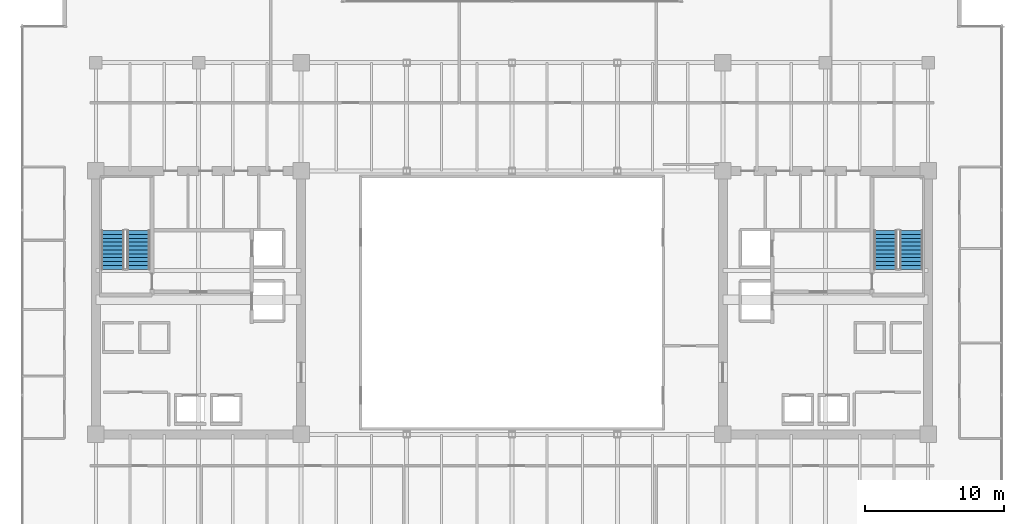
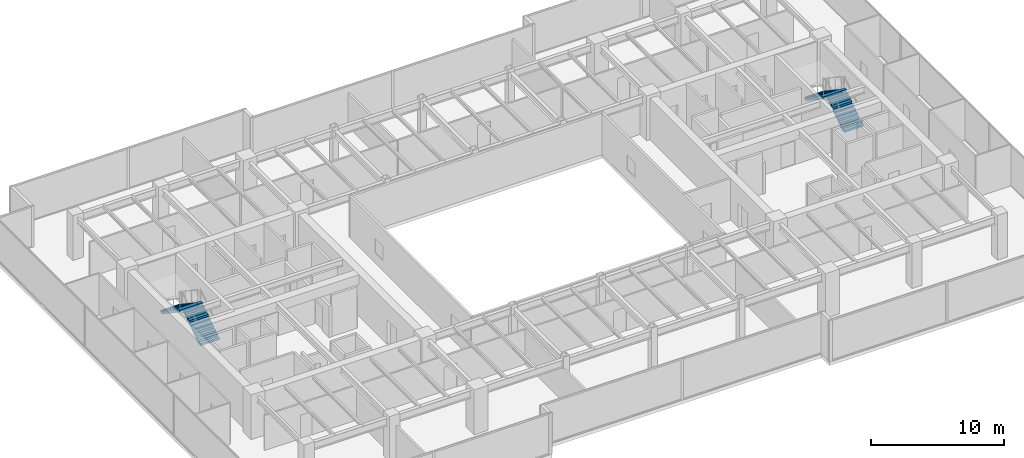
# One storey, part 29 of 31: 4 stair flights, 2 elements without a shape of their own.
"""IFC4 building model written with IfcOpenShell, lengths in metres."""

import ifcopenshell
import ifcopenshell.guid

model = None  # the IFC model being written
_history = None  # IfcOwnerHistory: only IFC2X3 demands one
_inside = {}  # id of a spatial element -> (the spatial element, [elements in it])
_under = {}  # id of a project, library or spatial element -> (it, [spatial elements below it])
_declared = {}  # id of a project -> (the project, [libraries it declares])
_typed = {}  # id of a type object -> (the type object, [elements of that type])
_made_of = {}  # id of a material, layer set ... -> (it, [elements and type objects made of it])


def new_model(schema):
    """Start an empty IFC model of exactly this schema.

    Asked for "IFC4X3", IfcOpenShell would pick the latest addendum, in which some entities
    have other attributes; the version numbers below select the first issue.
    IFC2X3 requires an IfcOwnerHistory on every rooted entity: one is made here for all.
    """
    global model, _history
    if schema == "IFC4X3":
        model = ifcopenshell.file(schema_version=(4, 3, 0, 0))
    else:
        model = ifcopenshell.file(schema=schema)
    _inside.clear()
    _under.clear()
    _declared.clear()
    _typed.clear()
    _made_of.clear()
    _history = None
    if model.schema == "IFC2X3":
        org = make("IfcOrganization", Name="unknown")
        user = make(
            "IfcPersonAndOrganization",
            ThePerson=make("IfcPerson", FamilyName="unknown"),
            TheOrganization=org,
        )
        app = make(
            "IfcApplication",
            ApplicationDeveloper=org,
            Version="unknown",
            ApplicationFullName="unknown",
            ApplicationIdentifier="unknown",
        )
        _history = make(
            "IfcOwnerHistory",
            OwningUser=user,
            OwningApplication=app,
            ChangeAction="ADDED",
            CreationDate=0,
        )
    return model


def make(cls, **values):
    """One entity of the class cls with the attributes given. An attribute that is None is left unset."""
    return model.create_entity(
        cls, **{name: value for name, value in values.items() if value is not None}
    )


def rooted(cls, **values):
    """An entity with a GlobalId (a new one), such as an element, a storey or a relation."""
    return make(cls, GlobalId=ifcopenshell.guid.new(), OwnerHistory=_history, **values)


def si_unit(unit_type, name, prefix=None):
    """IfcSIUnit, for example si_unit("LENGTHUNIT", "METRE", prefix="MILLI")."""
    return make("IfcSIUnit", UnitType=unit_type, Prefix=prefix, Name=name)


def assignment(units):
    """IfcUnitAssignment: the units of a project."""
    return None if units is None else make("IfcUnitAssignment", Units=units)


def point(xyz):
    """IfcCartesianPoint."""
    return None if xyz is None else make("IfcCartesianPoint", Coordinates=xyz)


def direction(xyz):
    """IfcDirection."""
    return None if xyz is None else make("IfcDirection", DirectionRatios=xyz)


def frame(location, z_axis=None, x_axis=None):
    """IfcAxis2Placement3D, a coordinate frame: its origin and axes. An axis left out is left unset."""
    return make(
        "IfcAxis2Placement3D",
        Location=point(location),
        Axis=direction(z_axis),
        RefDirection=direction(x_axis),
    )


def origin():
    """The frame at (0, 0, 0) with its axes left unset."""
    return frame((0.0, 0.0, 0.0))


def place(relative_to, where):
    """IfcLocalPlacement: puts the frame where relative to a parent placement (None: the world)."""
    return make(
        "IfcLocalPlacement", PlacementRelTo=relative_to, RelativePlacement=where
    )


def context(
    kind, dimensions, precision=None, world=None, true_north=None, identifier=None
):
    """IfcGeometricRepresentationContext, for example the 3D "Model" context."""
    return make(
        "IfcGeometricRepresentationContext",
        ContextIdentifier=identifier,
        ContextType=kind,
        CoordinateSpaceDimension=dimensions,
        Precision=precision,
        WorldCoordinateSystem=world,
        TrueNorth=true_north,
    )


def subcontext(parent, identifier, kind, view, scale=None):
    """IfcGeometricRepresentationSubContext, for example "Body" below "Model"."""
    return make(
        "IfcGeometricRepresentationSubContext",
        ContextIdentifier=identifier,
        ContextType=kind,
        ParentContext=parent,
        TargetScale=scale,
        TargetView=view,
    )


def project(units=None, contexts=None):
    """IfcProject with its units and contexts."""
    return rooted(
        "IfcProject",
        Name="project",
        RepresentationContexts=contexts,
        UnitsInContext=assignment(units),
    )


def spatial(cls, under=None, at=None, **own):
    """A site, building, storey or space (cls), placed at a placement, below another one or the project."""
    s = rooted(cls, ObjectPlacement=at, **own)
    if under is not None:
        _under.setdefault(under.id(), (under, []))[1].append(s)
    return s


def polyline(points):
    """IfcPolyline through the points."""
    return make("IfcPolyline", Points=[point(p) for p in points])


def outline(outer, holes=None, kind="AREA"):
    """IfcArbitraryClosedProfileDef: a profile drawn as a closed curve; with holes, ...WithVoids."""
    if holes is None:
        return make("IfcArbitraryClosedProfileDef", ProfileType=kind, OuterCurve=outer)
    return make(
        "IfcArbitraryProfileDefWithVoids",
        ProfileType=kind,
        OuterCurve=outer,
        InnerCurves=holes,
    )


def extrude(swept, where, along, depth):
    """IfcExtrudedAreaSolid: the profile swept, set in the frame where, extruded along a direction by depth."""
    return make(
        "IfcExtrudedAreaSolid",
        SweptArea=swept,
        Position=where,
        ExtrudedDirection=direction(along),
        Depth=depth,
    )


def shape(context_of_items, identifier, shape_type, items):
    """IfcShapeRepresentation: the items that make up one representation, for example the "Body"."""
    return make(
        "IfcShapeRepresentation",
        ContextOfItems=context_of_items,
        RepresentationIdentifier=identifier,
        RepresentationType=shape_type,
        Items=items,
    )


def source(mapping_origin, context_of_items, identifier, shape_type, items):
    """IfcRepresentationMap: a shape defined once, which mapped items show again and again."""
    return make(
        "IfcRepresentationMap",
        MappingOrigin=mapping_origin,
        MappedRepresentation=shape(context_of_items, identifier, shape_type, items),
    )


def transform(
    local_origin,
    x_axis=None,
    y_axis=None,
    z_axis=None,
    scale=None,
    scale2=None,
    scale3=None,
    uniform=True,
):
    """IfcCartesianTransformationOperator3D, or its non-uniform kind. x_axis, y_axis, z_axis: its Axis1, 2, 3."""
    if uniform:
        return make(
            "IfcCartesianTransformationOperator3D",
            Axis1=direction(x_axis),
            Axis2=direction(y_axis),
            LocalOrigin=point(local_origin),
            Scale=scale,
            Axis3=direction(z_axis),
        )
    return make(
        "IfcCartesianTransformationOperator3DnonUniform",
        Axis1=direction(x_axis),
        Axis2=direction(y_axis),
        LocalOrigin=point(local_origin),
        Scale=scale,
        Axis3=direction(z_axis),
        Scale2=scale2,
        Scale3=scale3,
    )


def mapped(mapping_source, mapping_target):
    """IfcMappedItem: shows the shape of a source again, moved by a transform."""
    return make(
        "IfcMappedItem", MappingSource=mapping_source, MappingTarget=mapping_target
    )


def material(Name=None, Category=None):
    """IfcMaterial."""
    return make("IfcMaterial", Name=Name, Category=Category)


def made_of(thing, what):
    """Note that an element or type object is made of a material, layer set ...; save() writes the relation."""
    if what is not None:
        _made_of.setdefault(what.id(), (what, []))[1].append(thing)
    return thing


def type_object(cls, material=None, **own):
    """A type object (cls), such as IfcWallType, which elements share."""
    return made_of(rooted(cls, **own), material)


def type_shapes(of_type, sources):
    """Give a type object the sources (RepresentationMaps) that its elements show as mapped items."""
    of_type.RepresentationMaps = sources


def element(
    cls,
    number,
    at=None,
    inside=None,
    cuts=None,
    type_object=None,
    material=None,
    context=None,
    identifier="Body",
    shape_type=None,
    held_by="IfcProductDefinitionShape",
    body=None,
    shapes=None,
    **own,
):
    """One element of the class cls, such as IfcWall. Its Tag is "e" and its number.

    at: its placement. inside: the storey or other place that contains it. cuts: it is an
    opening in that element (IfcRelVoidsElement). A single representation is given by context,
    identifier, shape_type and body (its items); several are given by shapes. held_by: the class
    of the entity that holds the representations. save() writes the other relations.
    """
    e = rooted(cls, Tag="e%d" % number, ObjectPlacement=at, **own)
    if body is not None:
        shapes = [shape(context, identifier, shape_type, body)]
    if shapes is not None:
        e.Representation = make(held_by, Representations=shapes)
    if inside is not None:
        _inside.setdefault(inside.id(), (inside, []))[1].append(e)
    if cuts is not None:
        rooted(
            "IfcRelVoidsElement", RelatingBuildingElement=cuts, RelatedOpeningElement=e
        )
    if type_object is not None:
        _typed.setdefault(type_object.id(), (type_object, []))[1].append(e)
    return made_of(e, material)


def aggregate(whole, parts):
    """IfcRelAggregates: a whole, such as a stair, and the parts it consists of."""
    return rooted("IfcRelAggregates", RelatingObject=whole, RelatedObjects=parts)


def save(model, path):
    """Write the relations noted so far, then the file.

    IfcRelAggregates (storeys below a building ...), IfcRelContainedInSpatialStructure (elements
    in a storey), IfcRelDefinesByType, IfcRelAssociatesMaterial and IfcRelDeclares: one each for
    every whole, place, type object, material and project.
    """
    for whole, parts in _under.values():
        aggregate(whole, parts)
    for where, things in _inside.values():
        rooted(
            "IfcRelContainedInSpatialStructure",
            RelatedElements=things,
            RelatingStructure=where,
        )
    for kind, things in _typed.values():
        rooted("IfcRelDefinesByType", RelatedObjects=things, RelatingType=kind)
    for what, things in _made_of.values():
        rooted("IfcRelAssociatesMaterial", RelatedObjects=things, RelatingMaterial=what)
    for by, libraries in _declared.values():
        rooted("IfcRelDeclares", RelatingContext=by, RelatedDefinitions=libraries)
    model.write(path)


model = new_model("IFC4")

# Units and contexts
model_context = context("Model", 3, precision=1e-05, world=origin(), true_north=direction((0.0, 1.0)))
body_context = subcontext(model_context, "Body", "Model", "MODEL_VIEW")
ifc_project = project(units=[si_unit("LENGTHUNIT", "METRE"), si_unit("AREAUNIT", "SQUARE_METRE"), si_unit("VOLUMEUNIT", "CUBIC_METRE"), si_unit("PLANEANGLEUNIT", "RADIAN"), si_unit("MASSUNIT", "GRAM", prefix="KILO")], contexts=[model_context])

# Site, building, storey
site_placement = place(None, origin())
site = spatial("IfcSite", under=ifc_project, at=site_placement, CompositionType="ELEMENT")
building_placement = place(site_placement, origin())
building = spatial("IfcBuilding", under=site, at=building_placement, Name="Haelvirn Gate Laboratories", CompositionType="ELEMENT")
storey_placement = place(building_placement, frame((0.0, 0.0, 154.300048828125)))
storey = spatial("IfcBuildingStorey", under=building, at=storey_placement, Name="L37", CompositionType="ELEMENT", Elevation=154.300048828125)

# Stair, stair flights
ifc_material = material(Name="Concrete C40/50", Category="concrete")
stair_type = type_object("IfcStairType", Name="ST-DOG-1650-R22", PredefinedType="HALF_TURN_STAIR", material=ifc_material)
stair_1_placement = place(storey_placement, origin())
stair_1 = element("IfcStair", 1, at=stair_1_placement, inside=storey, type_object=stair_type, Name="L37 Escape Stair ST1", PredefinedType="HALF_TURN_STAIR")
stair_flight_type = type_object("IfcStairFlightType", Name="STF-1650-R11", PredefinedType="STRAIGHT", material=ifc_material)
shared_shape = source(origin(), body_context, "Body", "SweptSolid", [
    extrude(outline(polyline([(0.0, 0.0), (0.0, 0.186279296875), (0.280029296875, 0.186279296875), (0.280029296875, 0.372802734375), (0.56005859375, 0.372802734375), (0.56005859375, 0.55908203125), (0.840087890625, 0.55908203125), (0.840087890625, 0.745361328125), (1.1201171875, 0.745361328125), (1.1201171875, 0.931884765625), (1.39990234375, 0.931884765625), (1.39990234375, 1.1181640625), (1.679931640625, 1.1181640625), (1.679931640625, 1.304443359375), (1.9599609375, 1.304443359375), (1.9599609375, 1.490966796875), (2.239990234375, 1.490966796875), (2.239990234375, 1.67724609375), (2.52001953125, 1.67724609375), (2.52001953125, 1.863525390625), (2.800048828125, 1.863525390625), (2.800048828125, 2.050048828125), (2.800048828125, 1.671630859375), (0.28857421875, 0.0), (0.0, 0.0)])), frame((0.0, 0.824951171875, 0.0), z_axis=(0.0, -1.0, 0.0), x_axis=(1.0, 0.0, 0.0)), (0.0, 0.0, 1.0), 1.64990234375),
])
type_shapes(stair_flight_type, [shared_shape])
stair_flight_1_placement = place(storey_placement, frame((10.47509765625, 26.699951171875, 0.0), z_axis=(0.0, 0.0, 1.0), x_axis=(0.0, 1.0, 0.0)))
stair_flight_1 = element("IfcStairFlight", 2, at=stair_flight_1_placement, type_object=stair_flight_type, Name="ST1 flight 1", NumberOfRisers=11, NumberOfTreads=10, PredefinedType="STRAIGHT", RiserHeight=0.186363636, TreadLength=0.28, context=body_context, shape_type="MappedRepresentation", body=[
    mapped(shared_shape, transform((0.0, 0.0, 0.0), scale=1.0)),
])
stair_flight_2_placement = place(storey_placement, frame((8.625, 29.5, 2.050048828125), z_axis=(0.0, 0.0, 1.0), x_axis=(0.0, -1.0, 0.0)))
stair_flight_2 = element("IfcStairFlight", 3, at=stair_flight_2_placement, type_object=stair_flight_type, Name="ST1 flight 2", NumberOfRisers=11, NumberOfTreads=10, PredefinedType="STRAIGHT", RiserHeight=0.186363636, TreadLength=0.28, context=body_context, shape_type="MappedRepresentation", body=[
    mapped(shared_shape, transform((0.0, 0.0, 0.0), scale=1.0)),
])
aggregate(stair_1, [stair_flight_1, stair_flight_2])

stair_2_placement = place(storey_placement, origin())
stair_2 = element("IfcStair", 4, at=stair_2_placement, inside=storey, type_object=stair_type, Name="L37 Escape Stair ST2", PredefinedType="HALF_TURN_STAIR")
stair_flight_3_placement = place(storey_placement, frame((66.175048828125, 26.699951171875, 0.0), z_axis=(0.0, 0.0, 1.0), x_axis=(0.0, 1.0, 0.0)))
stair_flight_3 = element("IfcStairFlight", 5, at=stair_flight_3_placement, type_object=stair_flight_type, Name="ST2 flight 1", NumberOfRisers=11, NumberOfTreads=10, PredefinedType="STRAIGHT", RiserHeight=0.186363636, TreadLength=0.28, context=body_context, shape_type="MappedRepresentation", body=[
    mapped(shared_shape, transform((0.0, 0.0, 0.0), scale=1.0)),
])
stair_flight_4_placement = place(storey_placement, frame((64.324951171875, 29.5, 2.050048828125), z_axis=(0.0, 0.0, 1.0), x_axis=(0.0, -1.0, 0.0)))
stair_flight_4 = element("IfcStairFlight", 6, at=stair_flight_4_placement, type_object=stair_flight_type, Name="ST2 flight 2", NumberOfRisers=11, NumberOfTreads=10, PredefinedType="STRAIGHT", RiserHeight=0.186363636, TreadLength=0.28, context=body_context, shape_type="MappedRepresentation", body=[
    mapped(shared_shape, transform((0.0, 0.0, 0.0), scale=1.0)),
])
aggregate(stair_2, [stair_flight_3, stair_flight_4])

save(model, "model.ifc")
